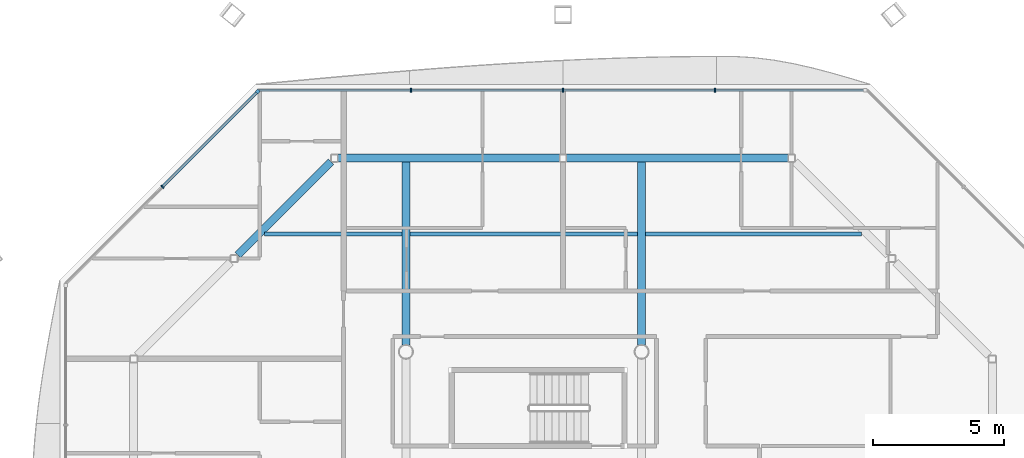
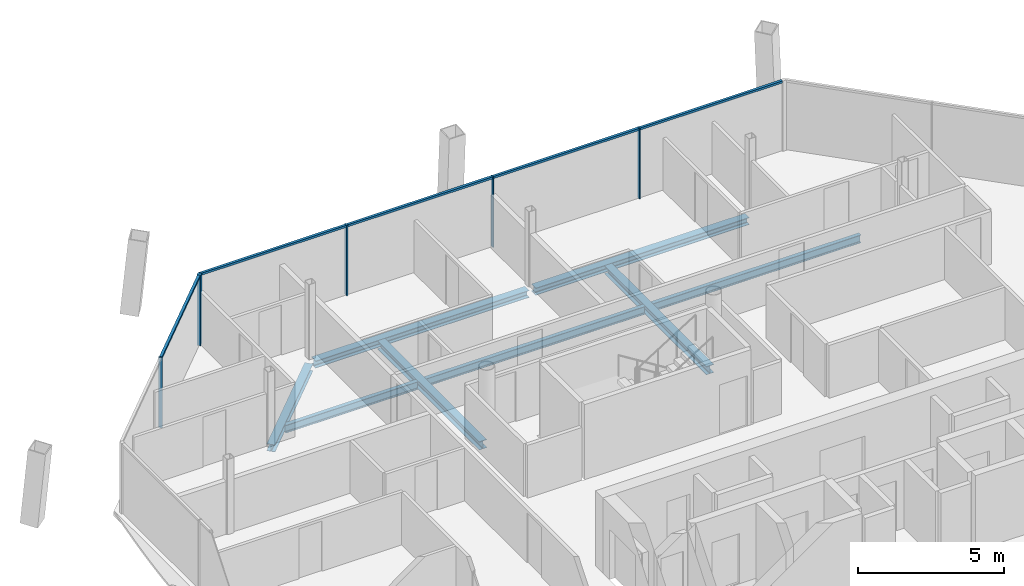
# One storey, part 9 of 18: 10 members, 8 beams, 2 elements without a shape of their own.
"""IFC4 building model written with IfcOpenShell, lengths in metres."""

from ifc_helpers import new_model, si_unit, direction, frame, origin, origin_2d, place, context, subcontext, project, spatial, rectangle, i_section, extrude, material, material_profile, profile_set, type_object, element, aggregate, save


model = new_model("IFC4")

# Units and contexts
model_context = context("Model", 3, precision=1e-05, world=origin(), true_north=direction((0.0, 1.0)))
body_context = subcontext(model_context, "Body", "Model", "MODEL_VIEW")
ifc_project = project(units=[si_unit("LENGTHUNIT", "METRE"), si_unit("AREAUNIT", "SQUARE_METRE"), si_unit("VOLUMEUNIT", "CUBIC_METRE"), si_unit("PLANEANGLEUNIT", "RADIAN"), si_unit("MASSUNIT", "GRAM", prefix="KILO")], contexts=[model_context])

# Site, building, storey
site_placement = place(None, origin())
site = spatial("IfcSite", under=ifc_project, at=site_placement, CompositionType="ELEMENT")
building_placement = place(site_placement, origin())
building = spatial("IfcBuilding", under=site, at=building_placement, Name="Tskaro Facet Tower", CompositionType="ELEMENT")
storey_placement = place(building_placement, frame((0.0, 0.0, 220.35009765625)))
storey = spatial("IfcBuildingStorey", under=building, at=storey_placement, Name="L56", CompositionType="ELEMENT", Elevation=220.35009765625)

# Curtain wall, member
ifc_material_1 = material(Name="Bronze anodised aluminium 6063-T6", Category="aluminium")
curtain_wall_type = type_object("IfcCurtainWallType", Name="Bronze residence curtain wall (FW3)", PredefinedType="NOTDEFINED", material=ifc_material_1)
curtain_wall_1_placement = place(storey_placement, origin())
curtain_wall_1 = element("IfcCurtainWall", 1, at=curtain_wall_1_placement, inside=storey, type_object=curtain_wall_type, Name="FW3 north-west facet L56", PredefinedType="NOTDEFINED")
ifc_material_profile_1 = material_profile(ifc_material_1, rectangle(XDim=0.139892578125, YDim=0.139892578125, at=origin_2d()), Name="Corner post 140x140")
ifc_profile_set_1 = profile_set([ifc_material_profile_1], Name="Bronze anodised aluminium 6063-T6")
member_type_1 = type_object("IfcMemberType", Name="FW3 bronze corner post 140x140", PredefinedType="MULLION", material=ifc_profile_set_1)
member_1_placement = place(storey_placement, frame((-14.658447265625, 18.935546875, 0.0), z_axis=(0.0, 0.0, 1.0), x_axis=(-0.707106781187, -0.707106781187, 0.0)))
member_1 = element("IfcMember", 2, at=member_1_placement, type_object=member_type_1, Name="FW3 north-west corner post", PredefinedType="MULLION", context=body_context, shape_type="SweptSolid", body=[
    extrude(rectangle(XDim=0.139892578125, YDim=0.139892578125, at=origin_2d()), origin(), (0.0, 0.0, 1.0), 2.949951171875),
])

# Curtain wall, members
curtain_wall_2_placement = place(storey_placement, origin())
curtain_wall_2 = element("IfcCurtainWall", 3, at=curtain_wall_2_placement, inside=storey, type_object=curtain_wall_type, Name="FW3 north facet L56", PredefinedType="NOTDEFINED")
ifc_material_profile_2 = material_profile(ifc_material_1, rectangle(XDim=0.050048828125, YDim=0.139892578125, at=origin_2d()), Name="Mullion 50x140")
ifc_profile_set_2 = profile_set([ifc_material_profile_2], Name="Bronze anodised aluminium 6063-T6")
member_type_2 = type_object("IfcMemberType", Name="FW3 bronze mullion 50x140", PredefinedType="MULLION", material=ifc_profile_set_2)
member_2_placement = place(storey_placement, frame((2.804443359375, 18.985107421875, 0.0), z_axis=(0.0, 0.0, 1.0), x_axis=(-1.0, 0.0, 0.0)))
member_2 = element("IfcMember", 4, at=member_2_placement, type_object=member_type_2, Name="FW3 north mullion 1", PredefinedType="MULLION", context=body_context, shape_type="SweptSolid", body=[
    extrude(rectangle(XDim=0.050048828125, YDim=0.139892578125, at=origin_2d()), origin(), (0.0, 0.0, 1.0), 2.949951171875),
])
member_3_placement = place(storey_placement, frame((-3.0, 18.985107421875, 0.0), z_axis=(0.0, 0.0, 1.0), x_axis=(-1.0, 0.0, 0.0)))
member_3 = element("IfcMember", 5, at=member_3_placement, type_object=member_type_2, Name="FW3 north mullion 2", PredefinedType="MULLION", context=body_context, shape_type="SweptSolid", body=[
    extrude(rectangle(XDim=0.050048828125, YDim=0.139892578125, at=origin_2d()), origin(), (0.0, 0.0, 1.0), 2.949951171875),
])
member_4_placement = place(storey_placement, frame((-8.804443359375, 18.985107421875, 0.0), z_axis=(0.0, 0.0, 1.0), x_axis=(-1.0, 0.0, 0.0)))
member_4 = element("IfcMember", 6, at=member_4_placement, type_object=member_type_2, Name="FW3 north mullion 3", PredefinedType="MULLION", context=body_context, shape_type="SweptSolid", body=[
    extrude(rectangle(XDim=0.050048828125, YDim=0.139892578125, at=origin_2d()), origin(), (0.0, 0.0, 1.0), 2.949951171875),
])

# Member
member_5_placement = place(storey_placement, frame((-18.297119140625, 15.297119140625, 0.0), z_axis=(0.0, 0.0, 1.0), x_axis=(-0.707106781187, -0.707106781187, 0.0)))
member_5 = element("IfcMember", 7, at=member_5_placement, type_object=member_type_2, Name="FW3 north-west mullion 1", PredefinedType="MULLION", context=body_context, shape_type="SweptSolid", body=[
    extrude(rectangle(XDim=0.050048828125, YDim=0.139892578125, at=origin_2d()), origin(), (0.0, 0.0, 1.0), 2.949951171875),
])

ifc_material_profile_3 = material_profile(ifc_material_1, rectangle(XDim=0.10009765625, YDim=0.090087890625, at=origin_2d()), Name="Transom 100x90")
ifc_profile_set_3 = profile_set([ifc_material_profile_3], Name="Bronze anodised aluminium 6063-T6")
member_type_3 = type_object("IfcMemberType", Name="FW3 bronze transom 100x90", PredefinedType="USERDEFINED", material=ifc_profile_set_3)
member_6_placement = place(storey_placement, frame((8.468994140625, 18.985107421875, 2.90478515625), z_axis=(-1.0, 0.0, 0.0), x_axis=(0.0, -1.0, 0.0)))
member_6 = element("IfcMember", 8, at=member_6_placement, type_object=member_type_3, Name="FW3 north transom 1.1", ObjectType="TRANSOM", PredefinedType="USERDEFINED", context=body_context, shape_type="SweptSolid", body=[
    extrude(rectangle(XDim=0.10009765625, YDim=0.090087890625, at=origin_2d()), origin(), (0.0, 0.0, 1.0), 5.639404296875),
])

member_7_placement = place(storey_placement, frame((2.779541015625, 18.985107421875, 2.90478515625), z_axis=(-1.0, 0.0, 0.0), x_axis=(0.0, -1.0, 0.0)))
member_7 = element("IfcMember", 9, at=member_7_placement, type_object=member_type_3, Name="FW3 north transom 2.1", ObjectType="TRANSOM", PredefinedType="USERDEFINED", context=body_context, shape_type="SweptSolid", body=[
    extrude(rectangle(XDim=0.10009765625, YDim=0.090087890625, at=origin_2d()), origin(), (0.0, 0.0, 1.0), 5.754638671875),
])

member_8_placement = place(storey_placement, frame((-3.02490234375, 18.985107421875, 2.90478515625), z_axis=(-1.0, 0.0, 0.0), x_axis=(0.0, -1.0, 0.0)))
member_8 = element("IfcMember", 10, at=member_8_placement, type_object=member_type_3, Name="FW3 north transom 3.1", ObjectType="TRANSOM", PredefinedType="USERDEFINED", context=body_context, shape_type="SweptSolid", body=[
    extrude(rectangle(XDim=0.10009765625, YDim=0.090087890625, at=origin_2d()), origin(), (0.0, 0.0, 1.0), 5.754638671875),
])

member_9_placement = place(storey_placement, frame((-8.82958984375, 18.985107421875, 2.90478515625), z_axis=(-1.0, 0.0, 0.0), x_axis=(0.0, -1.0, 0.0)))
member_9 = element("IfcMember", 11, at=member_9_placement, type_object=member_type_3, Name="FW3 north transom 4.1", ObjectType="TRANSOM", PredefinedType="USERDEFINED", context=body_context, shape_type="SweptSolid", body=[
    extrude(rectangle(XDim=0.10009765625, YDim=0.090087890625, at=origin_2d()), origin(), (0.0, 0.0, 1.0), 5.779296875),
])

aggregate(curtain_wall_2, [member_2, member_3, member_4, member_6, member_7, member_8, member_9])

member_10_placement = place(storey_placement, frame((-14.7080078125, 18.885986328125, 2.90478515625), z_axis=(-0.707106781187, -0.707106781187, 0.0), x_axis=(0.707106781187, -0.707106781187, 0.0)))
member_10 = element("IfcMember", 12, at=member_10_placement, type_object=member_type_3, Name="FW3 north-west transom 1.1", ObjectType="TRANSOM", PredefinedType="USERDEFINED", context=body_context, shape_type="SweptSolid", body=[
    extrude(rectangle(XDim=0.10009765625, YDim=0.090087890625, at=origin_2d()), origin(), (0.0, 0.0, 1.0), 5.050537109375),
])

aggregate(curtain_wall_1, [member_1, member_5, member_10])

# Beams
ifc_material_2 = material(Name="Steel S355J2", Category="steel")
ifc_material_profile_4 = material_profile(ifc_material_2, i_section(OverallWidth=0.300048828125, OverallDepth=0.300048828125, WebThickness=0.010986328125, FlangeThickness=0.01904296875, FilletRadius=0.027099609375, at=origin_2d()), Name="HE 300 B")
ifc_profile_set_4 = profile_set([ifc_material_profile_4], Name="Steel S355J2")
beam_type_1 = type_object("IfcBeamType", Name="HE 300 B ring beam", PredefinedType="BEAM", material=ifc_profile_set_4)
for number, where, z_axis, x_axis, name in (
    (13, (5.594970703125, 16.39111328125, -0.2900390625), (-1.0, 0.0, 0.0), (0.0, -1.0, 0.0), "HE 300 B EB10-5"),
    (14, (-3.1298828125, 16.39111328125, -0.2900390625), (-1.0, 0.0, 0.0), (0.0, -1.0, 0.0), "HE 300 B EB11-5"),
):
    element("IfcBeam", number, at=place(storey_placement, frame(where, z_axis=z_axis, x_axis=x_axis)), inside=storey, type_object=beam_type_1, Name=name, PredefinedType="BEAM", context=body_context, shape_type="SweptSolid", body=[
        extrude(i_section(OverallWidth=0.300048828125, OverallDepth=0.300048828125, WebThickness=0.010986328125, FlangeThickness=0.01904296875, FilletRadius=0.027099609375, at=origin_2d()), origin(), (0.0, 0.0, 1.0), 8.465087890625),
    ])
beam_1_placement = place(storey_placement, frame((-11.86083984375, 16.255126953125, -0.2900390625), z_axis=(-0.707106781187, -0.707106781187, 0.0), x_axis=(0.707106781187, -0.707106781187, 0.0)))
element("IfcBeam", 15, at=beam_1_placement, inside=storey, type_object=beam_type_1, Name="HE 300 B EB12-5", PredefinedType="BEAM", context=body_context, shape_type="SweptSolid", body=[
    extrude(i_section(OverallWidth=0.300048828125, OverallDepth=0.300048828125, WebThickness=0.010986328125, FlangeThickness=0.01904296875, FilletRadius=0.027099609375, at=origin_2d()), origin(), (0.0, 0.0, 1.0), 5.036376953125),
])
ifc_material_profile_5 = material_profile(ifc_material_2, i_section(OverallWidth=0.300048828125, OverallDepth=0.35009765625, WebThickness=0.010009765625, FlangeThickness=0.017578125, FilletRadius=0.027099609375, at=origin_2d()), Name="HE 360 A")
ifc_profile_set_5 = profile_set([ifc_material_profile_5], Name="Steel S355J2")
beam_type_2 = type_object("IfcBeamType", Name="HE 360 A girder", PredefinedType="BEAM", material=ifc_profile_set_5)
for number, where, z_axis, x_axis, name in (
    (16, (-9.0, 9.24951171875, -0.315185546875), (0.0, 1.0, 0.0), (-1.0, 0.0, 0.0), "HE 360 A GB3-3-5"),
    (17, (0.0, 9.24951171875, -0.315185546875), (0.0, 1.0, 0.0), (-1.0, 0.0, 0.0), "HE 360 A GB4-3-5"),
):
    element("IfcBeam", number, at=place(storey_placement, frame(where, z_axis=z_axis, x_axis=x_axis)), inside=storey, type_object=beam_type_2, Name=name, PredefinedType="BEAM", context=body_context, shape_type="SweptSolid", body=[
        extrude(i_section(OverallWidth=0.300048828125, OverallDepth=0.35009765625, WebThickness=0.010009765625, FlangeThickness=0.017578125, FilletRadius=0.027099609375, at=origin_2d()), origin(), (0.0, 0.0, 1.0), 6.991455078125),
    ])
ifc_material_profile_6 = material_profile(ifc_material_2, i_section(OverallWidth=0.159912109375, OverallDepth=0.330078125, WebThickness=0.007568359375, FlangeThickness=0.011474609375, FilletRadius=0.01806640625, at=origin_2d()), Name="IPE 330")
ifc_profile_set_6 = profile_set([ifc_material_profile_6], Name="Steel S355J2")
beam_type_3 = type_object("IfcBeamType", Name="IPE 330 secondary beam", PredefinedType="BEAM", material=ifc_profile_set_6)
beam_2_placement = place(storey_placement, frame((-14.404052734375, 13.5, -0.30517578125), z_axis=(1.0, 0.0, 0.0), x_axis=(0.0, 1.0, 0.0)))
element("IfcBeam", 18, at=beam_2_placement, inside=storey, type_object=beam_type_3, Name="IPE 330 SB5a-1-5", PredefinedType="BEAM", context=body_context, shape_type="SweptSolid", body=[
    extrude(i_section(OverallWidth=0.159912109375, OverallDepth=0.330078125, WebThickness=0.007568359375, FlangeThickness=0.011474609375, FilletRadius=0.01806640625, at=origin_2d()), origin(), (0.0, 0.0, 1.0), 5.254150390625),
])
beam_3_placement = place(storey_placement, frame((-8.85009765625, 13.5, -0.30517578125), z_axis=(1.0, 0.0, 0.0), x_axis=(0.0, 1.0, 0.0)))
element("IfcBeam", 19, at=beam_3_placement, inside=storey, type_object=beam_type_3, Name="IPE 330 SB5a-2-5", PredefinedType="BEAM", context=body_context, shape_type="SweptSolid", body=[
    extrude(i_section(OverallWidth=0.159912109375, OverallDepth=0.330078125, WebThickness=0.007568359375, FlangeThickness=0.011474609375, FilletRadius=0.01806640625, at=origin_2d()), origin(), (0.0, 0.0, 1.0), 8.7001953125),
])
beam_4_placement = place(storey_placement, frame((0.14990234375, 13.5, -0.30517578125), z_axis=(1.0, 0.0, 0.0), x_axis=(0.0, 1.0, 0.0)))
element("IfcBeam", 20, at=beam_4_placement, inside=storey, type_object=beam_type_3, Name="IPE 330 SB5a-3-5", PredefinedType="BEAM", context=body_context, shape_type="SweptSolid", body=[
    extrude(i_section(OverallWidth=0.159912109375, OverallDepth=0.330078125, WebThickness=0.007568359375, FlangeThickness=0.011474609375, FilletRadius=0.01806640625, at=origin_2d()), origin(), (0.0, 0.0, 1.0), 8.254150390625),
])

save(model, "model.ifc")
